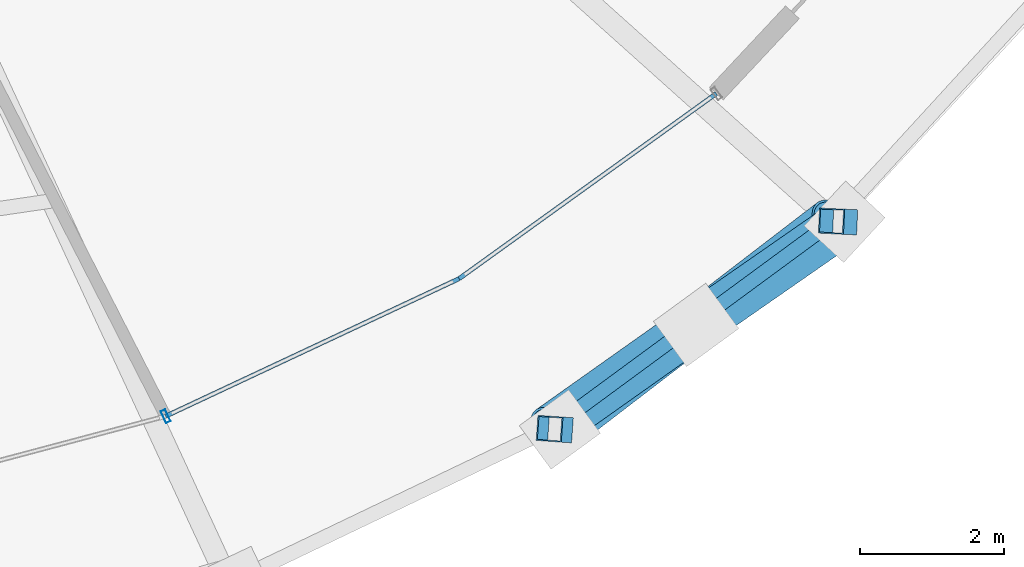
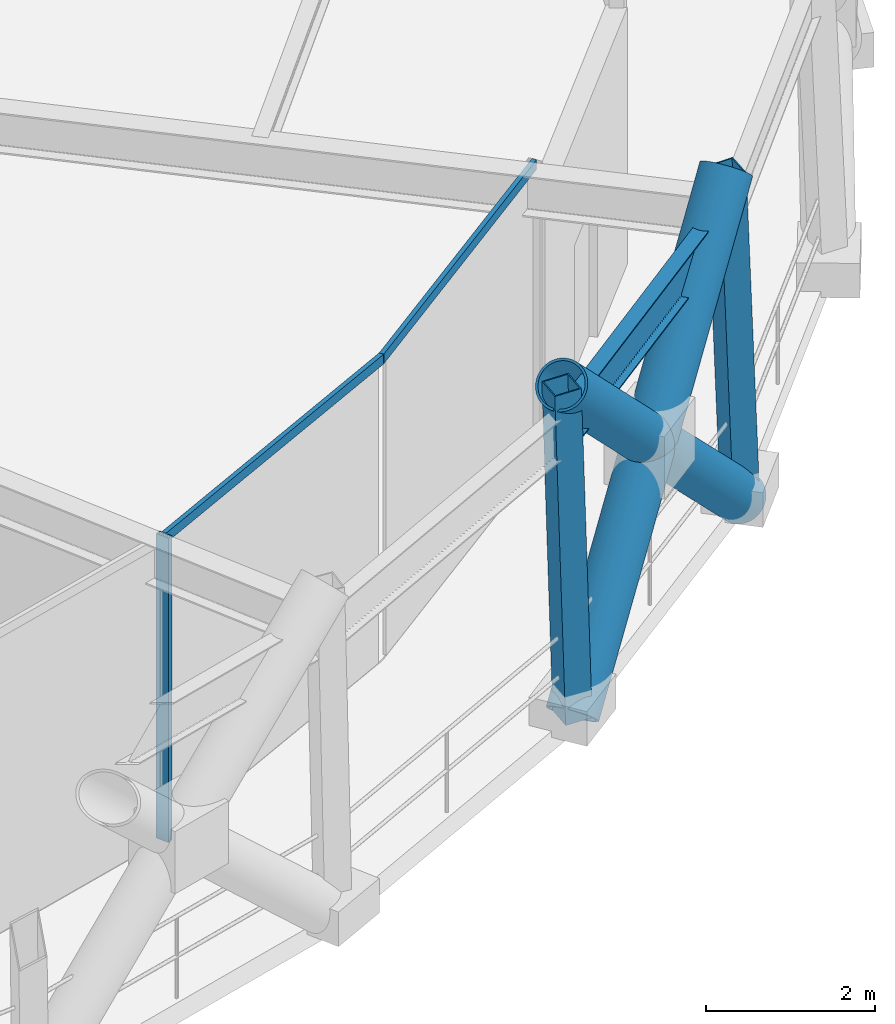
# One storey, part 10 of 29: 8 members, 1 beam, 1 element without a shape of its own.
"""IFC4 building model written with IfcOpenShell, lengths in metres."""

from ifc_helpers import new_model, si_unit, direction, frame, origin, origin_2d, place, context, subcontext, project, spatial, hollow_rectangle, hollow_circle, i_section, extrude, material, layer, layer_set, material_profile, profile_set, type_object, element, aggregate, save


model = new_model("IFC4")

# Units and contexts
model_context = context("Model", 3, precision=1e-05, world=origin(), true_north=direction((0.0, 1.0)))
body_context = subcontext(model_context, "Body", "Model", "MODEL_VIEW")
ifc_project = project(units=[si_unit("LENGTHUNIT", "METRE"), si_unit("AREAUNIT", "SQUARE_METRE"), si_unit("VOLUMEUNIT", "CUBIC_METRE"), si_unit("PLANEANGLEUNIT", "RADIAN"), si_unit("MASSUNIT", "GRAM", prefix="KILO")], contexts=[model_context])

# Site, building, storey
site_placement = place(None, origin())
site = spatial("IfcSite", under=ifc_project, at=site_placement, CompositionType="ELEMENT")
building_placement = place(site_placement, origin())
building = spatial("IfcBuilding", under=site, at=building_placement, Name="Veldorina Hangang Commons", CompositionType="ELEMENT")
storey_placement = place(building_placement, frame((0.0, 0.0, 203.60009765625)))
storey = spatial("IfcBuildingStorey", under=building, at=storey_placement, Name="L53", CompositionType="ELEMENT", Elevation=203.60009765625)

# Beam
ifc_material_1 = material(Name="Steel SM420-TMC", Category="steel")
ifc_material_profile_1 = material_profile(ifc_material_1, i_section(OverallWidth=0.199951171875, OverallDepth=0.60009765625, WebThickness=0.010986328125, FlangeThickness=0.01708984375, FilletRadius=0.01806640625, at=origin_2d()), Name="H-600x200x11x17")
ifc_profile_set_1 = profile_set([ifc_material_profile_1], Name="Steel SM420-TMC")
beam_type = type_object("IfcBeamType", Name="BM-RB600", PredefinedType="BEAM", material=ifc_profile_set_1)
beam_placement = place(storey_placement, frame((46.380615234375, 4.716064453125, 4.139892578125), z_axis=(0.805632711099, 0.592415339781, 0.0), x_axis=(-0.592415339781, 0.805632711099, 0.0)))
element("IfcBeam", 1, at=beam_placement, inside=storey, type_object=beam_type, Name="L53 perimeter hoop ring beam 27", PredefinedType="BEAM", context=body_context, shape_type="SweptSolid", body=[
    extrude(i_section(OverallWidth=0.199951171875, OverallDepth=0.60009765625, WebThickness=0.010986328125, FlangeThickness=0.01708984375, FilletRadius=0.01806640625, at=origin_2d()), origin(), (0.0, 0.0, 1.0), 4.86865234375),
])

# Curtain wall, members
ifc_material_2 = material(Name="Glass Acoustic Laminated", Category="glass")
ifc_layer = layer(ifc_material_2, 0.179931640625)
ifc_layer_set = layer_set([ifc_layer], Name="Glass Acoustic Laminated")
curtain_wall_type = type_object("IfcCurtainWallType", Name="CW-SYS-SKY", PredefinedType="NOTDEFINED", material=ifc_layer_set)
curtain_wall_placement = place(storey_placement, origin())
curtain_wall = element("IfcCurtainWall", 2, at=curtain_wall_placement, inside=storey, type_object=curtain_wall_type, Name="L53 unitised curtain wall CW-L53-R11", PredefinedType="NOTDEFINED")
ifc_material_3 = material(Name="Aluminium Anodized AA6063-T6", Category="aluminium")
ifc_material_profile_2 = material_profile(ifc_material_3, hollow_rectangle(XDim=0.070068359375, YDim=0.179931640625, WallThickness=0.00390625, at=origin_2d()), Name="ALU-RHS-180x70x4")
ifc_profile_set_2 = profile_set([ifc_material_profile_2], Name="Aluminium Anodized AA6063-T6")
member_type_1 = type_object("IfcMemberType", Name="CW-MUL-180", PredefinedType="MULLION", material=ifc_profile_set_2)
member_1_placement = place(storey_placement, frame((41.02587890625, 4.891357421875, 0.0), z_axis=(0.0, 0.0, 1.0), x_axis=(0.905472527907, 0.424404878868, 0.0)))
member_1 = element("IfcMember", 3, at=member_1_placement, type_object=member_type_1, Name="CW-L53-R11 vertical mullion 2", PredefinedType="MULLION", context=body_context, shape_type="SweptSolid", body=[
    extrude(hollow_rectangle(XDim=0.070068359375, YDim=0.179931640625, WallThickness=0.00390625, at=origin_2d()), origin(), (0.0, 0.0, 1.0), 4.39990234375),
])
ifc_material_profile_3 = material_profile(ifc_material_3, hollow_rectangle(XDim=0.06005859375, YDim=0.139892578125, WallThickness=0.00341796875, at=origin_2d()), Name="ALU-RHS-140x60x3.5")
ifc_profile_set_3 = profile_set([ifc_material_profile_3], Name="Aluminium Anodized AA6063-T6")
member_type_2 = type_object("IfcMemberType", Name="CW-TRN-140", PredefinedType="USERDEFINED", material=ifc_profile_set_3)
member_2_placement = place(storey_placement, frame((41.02587890625, 4.891357421875, 4.35986328125), z_axis=(0.90547000335, 0.424410264996, 0.0), x_axis=(-0.424410264996, 0.90547000335, 0.0)))
member_2 = element("IfcMember", 4, at=member_2_placement, type_object=member_type_2, Name="CW-L53-R11 facet 3 transom 1", ObjectType="TRANSOM", PredefinedType="USERDEFINED", context=body_context, shape_type="SweptSolid", body=[
    extrude(hollow_rectangle(XDim=0.06005859375, YDim=0.139892578125, WallThickness=0.00341796875, at=origin_2d()), origin(), (0.0, 0.0, 1.0), 4.503662109375),
])
member_3_placement = place(storey_placement, frame((45.103759765625, 6.802734375, 4.35986328125), z_axis=(0.811660511346, 0.584129449969, 0.0), x_axis=(-0.584129449969, 0.811660511346, 0.0)))
member_3 = element("IfcMember", 5, at=member_3_placement, type_object=member_type_2, Name="CW-L53-R11 facet 4 transom 1", ObjectType="TRANSOM", PredefinedType="USERDEFINED", context=body_context, shape_type="SweptSolid", body=[
    extrude(hollow_rectangle(XDim=0.06005859375, YDim=0.139892578125, WallThickness=0.00341796875, at=origin_2d()), origin(), (0.0, 0.0, 1.0), 4.403564453125),
])
aggregate(curtain_wall, [member_1, member_2, member_3])

# Members
ifc_material_4 = material(Name="Steel SM460-TMC", Category="steel")
ifc_material_profile_4 = material_profile(ifc_material_4, hollow_circle(Radius=0.324951171875, WallThickness=0.031982421875, at=origin_2d()), Name="CHS-650x32")
ifc_profile_set_4 = profile_set([ifc_material_profile_4], Name="Steel SM460-TMC")
member_type_3 = type_object("IfcMemberType", Name="DG-CHS650", PredefinedType="BRACE", material=ifc_profile_set_4)
member_4_placement = place(storey_placement, frame((46.50390625, 4.70751953125, 0.0), z_axis=(0.558551416966, 0.428298628418, 0.710338369723), x_axis=(-0.608499434404, 0.793554307108, 0.0)))
element("IfcMember", 6, at=member_4_placement, inside=storey, type_object=member_type_3, Name="L53 continuous perimeter diagrid brace 27", PredefinedType="BRACE", context=body_context, shape_type="SweptSolid", body=[
    extrude(hollow_circle(Radius=0.324951171875, WallThickness=0.031982421875, at=origin_2d()), origin(), (0.0, 0.0, 1.0), 6.757080078125),
])
member_5_placement = place(storey_placement, frame((50.459716796875, 7.593017578125, 0.0), z_axis=(-0.592758366772, -0.41208213637, 0.691972421059), x_axis=(0.570811017847, -0.82108147093, 0.0)))
element("IfcMember", 7, at=member_5_placement, inside=storey, type_object=member_type_3, Name="L53 split perimeter diagrid lower brace 28", PredefinedType="BRACE", context=body_context, shape_type="SweptSolid", body=[
    extrude(hollow_circle(Radius=0.324951171875, WallThickness=0.031982421875, at=origin_2d()), origin(), (0.0, 0.0, 1.0), 3.4794921875),
])
member_6_placement = place(storey_placement, frame((48.397216796875, 6.1591796875, 2.40771484375), z_axis=(-0.589100836897, -0.417103170489, 0.692087529966), x_axis=(0.57785442032, -0.816139858674, 0.0)))
element("IfcMember", 8, at=member_6_placement, inside=storey, type_object=member_type_3, Name="L53 split perimeter diagrid upper brace 28", PredefinedType="BRACE", context=body_context, shape_type="SweptSolid", body=[
    extrude(hollow_circle(Radius=0.324951171875, WallThickness=0.031982421875, at=origin_2d()), origin(), (0.0, 0.0, 1.0), 3.456298828125),
])
ifc_material_5 = material(Name="Steel SM355-TMC", Category="steel")
ifc_material_profile_5 = material_profile(ifc_material_5, hollow_rectangle(XDim=0.35009765625, YDim=0.35009765625, WallThickness=0.01611328125, at=origin_2d()), Name="SHS-350x350x16")
ifc_profile_set_5 = profile_set([ifc_material_profile_5], Name="Steel SM355-TMC")
member_type_4 = type_object("IfcMemberType", Name="STR-SHS350", PredefinedType="STRUT", material=ifc_profile_set_5)
member_7_placement = place(storey_placement, frame((46.50390625, 4.70751953125, 0.0), z_axis=(-0.02974262049, 0.002084525539, 0.999555416813), x_axis=(-0.069913972648, -0.997553024369, 0.0)))
element("IfcMember", 9, at=member_7_placement, inside=storey, type_object=member_type_4, Name="L53 perimeter ring node post 27", PredefinedType="STRUT", context=body_context, shape_type="SweptSolid", body=[
    extrude(hollow_rectangle(XDim=0.35009765625, YDim=0.35009765625, WallThickness=0.01611328125, at=origin_2d()), origin(), (0.0, 0.0, 1.0), 4.802001953125),
])
member_8_placement = place(storey_placement, frame((50.459716796875, 7.593017578125, 0.0), z_axis=(-0.03781620789, 0.001778988274, 0.999283127858), x_axis=(-0.046991042846, -0.998895310777, 0.0)))
element("IfcMember", 10, at=member_8_placement, inside=storey, type_object=member_type_4, Name="L53 perimeter ring node post 28", PredefinedType="STRUT", context=body_context, shape_type="SweptSolid", body=[
    extrude(hollow_rectangle(XDim=0.35009765625, YDim=0.35009765625, WallThickness=0.01611328125, at=origin_2d()), origin(), (0.0, 0.0, 1.0), 4.80322265625),
])

save(model, "model.ifc")
